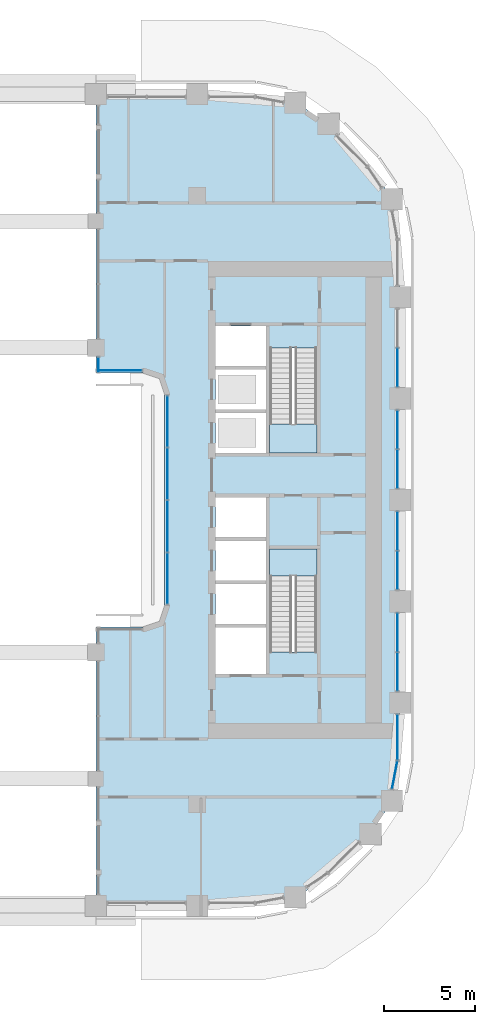
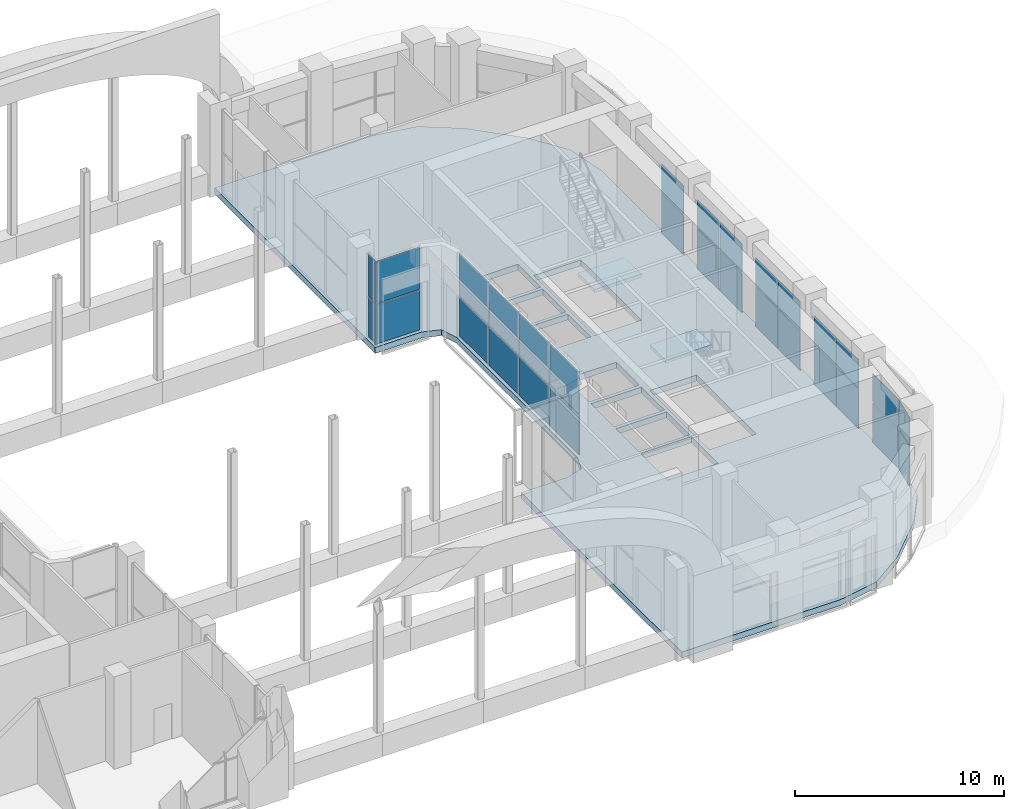
# One storey, part 13 of 28: 30 plates, 3 slabs, 11 elements without a shape of their own.
"""IFC4 building model written with IfcOpenShell, lengths in metres."""

import ifcopenshell
import ifcopenshell.guid

model = None  # the IFC model being written
_history = None  # IfcOwnerHistory: only IFC2X3 demands one
_inside = {}  # id of a spatial element -> (the spatial element, [elements in it])
_under = {}  # id of a project, library or spatial element -> (it, [spatial elements below it])
_declared = {}  # id of a project -> (the project, [libraries it declares])
_typed = {}  # id of a type object -> (the type object, [elements of that type])
_made_of = {}  # id of a material, layer set ... -> (it, [elements and type objects made of it])


def new_model(schema):
    """Start an empty IFC model of exactly this schema.

    Asked for "IFC4X3", IfcOpenShell would pick the latest addendum, in which some entities
    have other attributes; the version numbers below select the first issue.
    IFC2X3 requires an IfcOwnerHistory on every rooted entity: one is made here for all.
    """
    global model, _history
    if schema == "IFC4X3":
        model = ifcopenshell.file(schema_version=(4, 3, 0, 0))
    else:
        model = ifcopenshell.file(schema=schema)
    _inside.clear()
    _under.clear()
    _declared.clear()
    _typed.clear()
    _made_of.clear()
    _history = None
    if model.schema == "IFC2X3":
        org = make("IfcOrganization", Name="unknown")
        user = make(
            "IfcPersonAndOrganization",
            ThePerson=make("IfcPerson", FamilyName="unknown"),
            TheOrganization=org,
        )
        app = make(
            "IfcApplication",
            ApplicationDeveloper=org,
            Version="unknown",
            ApplicationFullName="unknown",
            ApplicationIdentifier="unknown",
        )
        _history = make(
            "IfcOwnerHistory",
            OwningUser=user,
            OwningApplication=app,
            ChangeAction="ADDED",
            CreationDate=0,
        )
    return model


def make(cls, **values):
    """One entity of the class cls with the attributes given. An attribute that is None is left unset."""
    return model.create_entity(
        cls, **{name: value for name, value in values.items() if value is not None}
    )


def rooted(cls, **values):
    """An entity with a GlobalId (a new one), such as an element, a storey or a relation."""
    return make(cls, GlobalId=ifcopenshell.guid.new(), OwnerHistory=_history, **values)


def si_unit(unit_type, name, prefix=None):
    """IfcSIUnit, for example si_unit("LENGTHUNIT", "METRE", prefix="MILLI")."""
    return make("IfcSIUnit", UnitType=unit_type, Prefix=prefix, Name=name)


def assignment(units):
    """IfcUnitAssignment: the units of a project."""
    return None if units is None else make("IfcUnitAssignment", Units=units)


def point(xyz):
    """IfcCartesianPoint."""
    return None if xyz is None else make("IfcCartesianPoint", Coordinates=xyz)


def direction(xyz):
    """IfcDirection."""
    return None if xyz is None else make("IfcDirection", DirectionRatios=xyz)


def frame(location, z_axis=None, x_axis=None):
    """IfcAxis2Placement3D, a coordinate frame: its origin and axes. An axis left out is left unset."""
    return make(
        "IfcAxis2Placement3D",
        Location=point(location),
        Axis=direction(z_axis),
        RefDirection=direction(x_axis),
    )


def frame_2d(location, x_axis=None):
    """IfcAxis2Placement2D, a coordinate frame in the plane: its origin and x axis."""
    return make(
        "IfcAxis2Placement2D", Location=point(location), RefDirection=direction(x_axis)
    )


def origin():
    """The frame at (0, 0, 0) with its axes left unset."""
    return frame((0.0, 0.0, 0.0))


def origin_2d():
    """The frame at (0, 0) in the plane with its x axis left unset."""
    return frame_2d((0.0, 0.0))


def place(relative_to, where):
    """IfcLocalPlacement: puts the frame where relative to a parent placement (None: the world)."""
    return make(
        "IfcLocalPlacement", PlacementRelTo=relative_to, RelativePlacement=where
    )


def context(
    kind, dimensions, precision=None, world=None, true_north=None, identifier=None
):
    """IfcGeometricRepresentationContext, for example the 3D "Model" context."""
    return make(
        "IfcGeometricRepresentationContext",
        ContextIdentifier=identifier,
        ContextType=kind,
        CoordinateSpaceDimension=dimensions,
        Precision=precision,
        WorldCoordinateSystem=world,
        TrueNorth=true_north,
    )


def subcontext(parent, identifier, kind, view, scale=None):
    """IfcGeometricRepresentationSubContext, for example "Body" below "Model"."""
    return make(
        "IfcGeometricRepresentationSubContext",
        ContextIdentifier=identifier,
        ContextType=kind,
        ParentContext=parent,
        TargetScale=scale,
        TargetView=view,
    )


def project(units=None, contexts=None):
    """IfcProject with its units and contexts."""
    return rooted(
        "IfcProject",
        Name="project",
        RepresentationContexts=contexts,
        UnitsInContext=assignment(units),
    )


def spatial(cls, under=None, at=None, **own):
    """A site, building, storey or space (cls), placed at a placement, below another one or the project."""
    s = rooted(cls, ObjectPlacement=at, **own)
    if under is not None:
        _under.setdefault(under.id(), (under, []))[1].append(s)
    return s


def polyline(points):
    """IfcPolyline through the points."""
    return make("IfcPolyline", Points=[point(p) for p in points])


def profile(cls, at=None, kind="AREA", **sizes):
    """A parametric profile (cls). Its sizes go by their IFC names, for example OverallWidth=200.0."""
    return make(cls, ProfileType=kind, Position=at, **sizes)


def rectangle(**sizes):
    """IfcRectangleProfileDef."""
    return profile("IfcRectangleProfileDef", **sizes)


def outline(outer, holes=None, kind="AREA"):
    """IfcArbitraryClosedProfileDef: a profile drawn as a closed curve; with holes, ...WithVoids."""
    if holes is None:
        return make("IfcArbitraryClosedProfileDef", ProfileType=kind, OuterCurve=outer)
    return make(
        "IfcArbitraryProfileDefWithVoids",
        ProfileType=kind,
        OuterCurve=outer,
        InnerCurves=holes,
    )


def extrude(swept, where, along, depth):
    """IfcExtrudedAreaSolid: the profile swept, set in the frame where, extruded along a direction by depth."""
    return make(
        "IfcExtrudedAreaSolid",
        SweptArea=swept,
        Position=where,
        ExtrudedDirection=direction(along),
        Depth=depth,
    )


def shape(context_of_items, identifier, shape_type, items):
    """IfcShapeRepresentation: the items that make up one representation, for example the "Body"."""
    return make(
        "IfcShapeRepresentation",
        ContextOfItems=context_of_items,
        RepresentationIdentifier=identifier,
        RepresentationType=shape_type,
        Items=items,
    )


def material(Name=None, Category=None):
    """IfcMaterial."""
    return make("IfcMaterial", Name=Name, Category=Category)


def layer(
    of_material, thickness, ventilated=None, Name=None, Category=None, Priority=None
):
    """IfcMaterialLayer: one layer of a wall or slab, of a material (None: an air gap)."""
    return make(
        "IfcMaterialLayer",
        Material=of_material,
        LayerThickness=thickness,
        IsVentilated=ventilated,
        Name=Name,
        Category=Category,
        Priority=Priority,
    )


def layer_set(layers, Name=None):
    """IfcMaterialLayerSet."""
    return make("IfcMaterialLayerSet", MaterialLayers=layers, LayerSetName=Name)


def made_of(thing, what):
    """Note that an element or type object is made of a material, layer set ...; save() writes the relation."""
    if what is not None:
        _made_of.setdefault(what.id(), (what, []))[1].append(thing)
    return thing


def type_object(cls, material=None, **own):
    """A type object (cls), such as IfcWallType, which elements share."""
    return made_of(rooted(cls, **own), material)


def element(
    cls,
    number,
    at=None,
    inside=None,
    cuts=None,
    type_object=None,
    material=None,
    context=None,
    identifier="Body",
    shape_type=None,
    held_by="IfcProductDefinitionShape",
    body=None,
    shapes=None,
    **own,
):
    """One element of the class cls, such as IfcWall. Its Tag is "e" and its number.

    at: its placement. inside: the storey or other place that contains it. cuts: it is an
    opening in that element (IfcRelVoidsElement). A single representation is given by context,
    identifier, shape_type and body (its items); several are given by shapes. held_by: the class
    of the entity that holds the representations. save() writes the other relations.
    """
    e = rooted(cls, Tag="e%d" % number, ObjectPlacement=at, **own)
    if body is not None:
        shapes = [shape(context, identifier, shape_type, body)]
    if shapes is not None:
        e.Representation = make(held_by, Representations=shapes)
    if inside is not None:
        _inside.setdefault(inside.id(), (inside, []))[1].append(e)
    if cuts is not None:
        rooted(
            "IfcRelVoidsElement", RelatingBuildingElement=cuts, RelatedOpeningElement=e
        )
    if type_object is not None:
        _typed.setdefault(type_object.id(), (type_object, []))[1].append(e)
    return made_of(e, material)


def aggregate(whole, parts):
    """IfcRelAggregates: a whole, such as a stair, and the parts it consists of."""
    return rooted("IfcRelAggregates", RelatingObject=whole, RelatedObjects=parts)


def save(model, path):
    """Write the relations noted so far, then the file.

    IfcRelAggregates (storeys below a building ...), IfcRelContainedInSpatialStructure (elements
    in a storey), IfcRelDefinesByType, IfcRelAssociatesMaterial and IfcRelDeclares: one each for
    every whole, place, type object, material and project.
    """
    for whole, parts in _under.values():
        aggregate(whole, parts)
    for where, things in _inside.values():
        rooted(
            "IfcRelContainedInSpatialStructure",
            RelatedElements=things,
            RelatingStructure=where,
        )
    for kind, things in _typed.values():
        rooted("IfcRelDefinesByType", RelatedObjects=things, RelatingType=kind)
    for what, things in _made_of.values():
        rooted("IfcRelAssociatesMaterial", RelatedObjects=things, RelatingMaterial=what)
    for by, libraries in _declared.values():
        rooted("IfcRelDeclares", RelatingContext=by, RelatedDefinitions=libraries)
    model.write(path)


model = new_model("IFC4")

# Units and contexts
model_context = context("Model", 3, precision=1e-05, world=origin(), true_north=direction((0.0, 1.0)))
body_context = subcontext(model_context, "Body", "Model", "MODEL_VIEW")
ifc_project = project(units=[si_unit("LENGTHUNIT", "METRE"), si_unit("AREAUNIT", "SQUARE_METRE"), si_unit("VOLUMEUNIT", "CUBIC_METRE"), si_unit("PLANEANGLEUNIT", "RADIAN"), si_unit("MASSUNIT", "GRAM", prefix="KILO")], contexts=[model_context])

# Site, building, storey
site_placement = place(None, origin())
site = spatial("IfcSite", under=ifc_project, at=site_placement, CompositionType="ELEMENT")
building_placement = place(site_placement, origin())
building = spatial("IfcBuilding", under=site, at=building_placement, Name="Kiln Ring Residences", CompositionType="ELEMENT")
storey_placement = place(building_placement, frame((0.0, 0.0, 125.300048828125)))
storey = spatial("IfcBuildingStorey", under=building, at=storey_placement, Name="L32", CompositionType="ELEMENT", Elevation=125.300048828125)

# Stair, slab
ifc_material_1 = material(Name="Concrete C40/50", Category="concrete")
stair_type = type_object("IfcStairType", Name="CORE-STAIR", PredefinedType="HALF_TURN_STAIR", material=ifc_material_1)
placement_1 = place(storey_placement, origin())
stair_1 = element("IfcStair", 1, at=placement_1, inside=storey, type_object=stair_type, Name="L32 stair E-STN", PredefinedType="HALF_TURN_STAIR")
ifc_material_2 = material(Name="Concrete C40/50", Category="concrete")
ifc_layer_1 = layer(ifc_material_2, 0.199951171875)
ifc_layer_set_1 = layer_set([ifc_layer_1], Name="CORE-STAIR-LANDING")
slab_type_1 = type_object("IfcSlabType", Name="CORE-STAIR-LANDING", PredefinedType="LANDING", material=ifc_layer_set_1)
placement_2 = place(storey_placement, frame((0.0, 0.0, 2.5)))
slab_1 = element("IfcSlab", 2, at=placement_2, type_object=slab_type_1, Name="E-STN landing 1", PredefinedType="LANDING", context=body_context, shape_type="SweptSolid", body=[
    extrude(outline(polyline([(20.800048828125, 4.199951171875), (20.800048828125, 2.60009765625), (23.39990234375, 2.60009765625), (23.39990234375, 4.199951171875), (20.800048828125, 4.199951171875)])), origin(), (0.0, 0.0, 1.0), 0.199951171875),
])
aggregate(stair_1, [slab_1])

stair_2 = element("IfcStair", 3, at=placement_1, inside=storey, type_object=stair_type, Name="L32 stair E-STS", PredefinedType="HALF_TURN_STAIR")
slab_2 = element("IfcSlab", 4, at=placement_2, type_object=slab_type_1, Name="E-STS landing 1", PredefinedType="LANDING", context=body_context, shape_type="SweptSolid", body=[
    extrude(outline(polyline([(23.39990234375, -4.199951171875), (23.39990234375, -2.699951171875), (20.800048828125, -2.699951171875), (20.800048828125, -4.199951171875), (23.39990234375, -4.199951171875)])), origin(), (0.0, 0.0, 1.0), 0.199951171875),
])
aggregate(stair_2, [slab_2])

# Curtain wall, plates
ifc_material_3 = material(Name="Aluminium and glass", Category="aluminium")
ifc_layer_2 = layer(ifc_material_3, 0.199951171875)
ifc_layer_set_2 = layer_set([ifc_layer_2], Name="CW1 CURTAIN WALL")
curtain_wall_type = type_object("IfcCurtainWallType", Name="CW1 CURTAIN WALL", PredefinedType="NOTDEFINED", material=ifc_layer_set_2)
curtain_wall_1 = element("IfcCurtainWall", 5, at=placement_1, inside=storey, type_object=curtain_wall_type, Name="Curtain wall CW1 L32", PredefinedType="NOTDEFINED")
ifc_material_4 = material(Name="Glass, low-e laminated", Category="glass")
ifc_layer_3 = layer(ifc_material_4, 0.028076171875)
ifc_layer_set_3 = layer_set([ifc_layer_3], Name="CW1 PANEL 28")
plate_type = type_object("IfcPlateType", Name="CW1 PANEL 28", PredefinedType="CURTAIN_PANEL", material=ifc_layer_set_3)
plate_1_placement = place(storey_placement, frame((27.697509765625, -15.185302734375, 0.059814453125), z_axis=(0.0, 0.0, 1.0), x_axis=(0.187365550262, 0.982290257803, 0.0)))
plate_1 = element("IfcPlate", 6, at=plate_1_placement, type_object=plate_type, Name="CW1 panel 1.1", PredefinedType="CURTAIN_PANEL", context=body_context, shape_type="SweptSolid", body=[
    extrude(rectangle(XDim=1.5361328125, YDim=0.028076171875, at=origin_2d()), origin(), (0.0, 0.0, 1.0), 2.31005859375),
])
plate_2_placement = place(storey_placement, frame((27.697509765625, -15.185302734375, 2.43017578125), z_axis=(0.0, 0.0, 1.0), x_axis=(0.187365550262, 0.982290257803, 0.0)))
plate_2 = element("IfcPlate", 7, at=plate_2_placement, type_object=plate_type, Name="CW1 panel 1.2", PredefinedType="CURTAIN_PANEL", context=body_context, shape_type="SweptSolid", body=[
    extrude(rectangle(XDim=1.5361328125, YDim=0.028076171875, at=origin_2d()), origin(), (0.0, 0.0, 1.0), 1.659912109375),
])
aggregate(curtain_wall_1, [plate_1, plate_2])

curtain_wall_2 = element("IfcCurtainWall", 8, at=placement_1, inside=storey, type_object=curtain_wall_type, Name="Curtain wall CW1 L32", PredefinedType="NOTDEFINED")
plate_3_placement = place(storey_placement, frame((27.85009765625, -13.10009765625, 0.059814453125), z_axis=(0.0, 0.0, 1.0), x_axis=(0.0, 1.0, 0.0)))
plate_3 = element("IfcPlate", 9, at=plate_3_placement, type_object=plate_type, Name="CW1 panel 1.1", PredefinedType="CURTAIN_PANEL", context=body_context, shape_type="SweptSolid", body=[
    extrude(rectangle(XDim=2.47998046875, YDim=0.028076171875, at=origin_2d()), origin(), (0.0, 0.0, 1.0), 2.31005859375),
])
plate_4_placement = place(storey_placement, frame((27.85009765625, -13.10009765625, 2.43017578125), z_axis=(0.0, 0.0, 1.0), x_axis=(0.0, 1.0, 0.0)))
plate_4 = element("IfcPlate", 10, at=plate_4_placement, type_object=plate_type, Name="CW1 panel 1.2", PredefinedType="CURTAIN_PANEL", context=body_context, shape_type="SweptSolid", body=[
    extrude(rectangle(XDim=2.47998046875, YDim=0.028076171875, at=origin_2d()), origin(), (0.0, 0.0, 1.0), 1.659912109375),
])
aggregate(curtain_wall_2, [plate_3, plate_4])

curtain_wall_3 = element("IfcCurtainWall", 11, at=placement_1, inside=storey, type_object=curtain_wall_type, Name="Curtain wall CW1 L32", PredefinedType="NOTDEFINED")
plate_5_placement = place(storey_placement, frame((27.85009765625, -9.485107421875, 0.059814453125), z_axis=(0.0, 0.0, 1.0), x_axis=(0.0, 1.0, 0.0)))
plate_5 = element("IfcPlate", 12, at=plate_5_placement, type_object=plate_type, Name="CW1 panel 1.1", PredefinedType="CURTAIN_PANEL", context=body_context, shape_type="SweptSolid", body=[
    extrude(rectangle(XDim=2.110107421875, YDim=0.028076171875, at=origin_2d()), origin(), (0.0, 0.0, 1.0), 2.31005859375),
])
plate_6_placement = place(storey_placement, frame((27.85009765625, -9.485107421875, 2.43017578125), z_axis=(0.0, 0.0, 1.0), x_axis=(0.0, 1.0, 0.0)))
plate_6 = element("IfcPlate", 13, at=plate_6_placement, type_object=plate_type, Name="CW1 panel 1.2", PredefinedType="CURTAIN_PANEL", context=body_context, shape_type="SweptSolid", body=[
    extrude(rectangle(XDim=2.110107421875, YDim=0.028076171875, at=origin_2d()), origin(), (0.0, 0.0, 1.0), 1.659912109375),
])
plate_7_placement = place(storey_placement, frame((27.85009765625, -7.31494140625, 0.059814453125), z_axis=(0.0, 0.0, 1.0), x_axis=(0.0, 1.0, 0.0)))
plate_7 = element("IfcPlate", 14, at=plate_7_placement, type_object=plate_type, Name="CW1 panel 2.1", PredefinedType="CURTAIN_PANEL", context=body_context, shape_type="SweptSolid", body=[
    extrude(rectangle(XDim=2.110107421875, YDim=0.028076171875, at=origin_2d()), origin(), (0.0, 0.0, 1.0), 2.31005859375),
])
plate_8_placement = place(storey_placement, frame((27.85009765625, -7.31494140625, 2.43017578125), z_axis=(0.0, 0.0, 1.0), x_axis=(0.0, 1.0, 0.0)))
plate_8 = element("IfcPlate", 15, at=plate_8_placement, type_object=plate_type, Name="CW1 panel 2.2", PredefinedType="CURTAIN_PANEL", context=body_context, shape_type="SweptSolid", body=[
    extrude(rectangle(XDim=2.110107421875, YDim=0.028076171875, at=origin_2d()), origin(), (0.0, 0.0, 1.0), 1.659912109375),
])
aggregate(curtain_wall_3, [plate_5, plate_6, plate_7, plate_8])

curtain_wall_4 = element("IfcCurtainWall", 16, at=placement_1, inside=storey, type_object=curtain_wall_type, Name="Curtain wall CW1 L32", PredefinedType="NOTDEFINED")
plate_9_placement = place(storey_placement, frame((27.85009765625, -3.885009765625, 0.059814453125), z_axis=(0.0, 0.0, 1.0), x_axis=(0.0, 1.0, 0.0)))
plate_9 = element("IfcPlate", 17, at=plate_9_placement, type_object=plate_type, Name="CW1 panel 1.1", PredefinedType="CURTAIN_PANEL", context=body_context, shape_type="SweptSolid", body=[
    extrude(rectangle(XDim=2.110107421875, YDim=0.028076171875, at=origin_2d()), origin(), (0.0, 0.0, 1.0), 2.31005859375),
])
plate_10_placement = place(storey_placement, frame((27.85009765625, -3.885009765625, 2.43017578125), z_axis=(0.0, 0.0, 1.0), x_axis=(0.0, 1.0, 0.0)))
plate_10 = element("IfcPlate", 18, at=plate_10_placement, type_object=plate_type, Name="CW1 panel 1.2", PredefinedType="CURTAIN_PANEL", context=body_context, shape_type="SweptSolid", body=[
    extrude(rectangle(XDim=2.110107421875, YDim=0.028076171875, at=origin_2d()), origin(), (0.0, 0.0, 1.0), 1.659912109375),
])
plate_11_placement = place(storey_placement, frame((27.85009765625, -1.715087890625, 0.059814453125), z_axis=(0.0, 0.0, 1.0), x_axis=(0.0, 1.0, 0.0)))
plate_11 = element("IfcPlate", 19, at=plate_11_placement, type_object=plate_type, Name="CW1 panel 2.1", PredefinedType="CURTAIN_PANEL", context=body_context, shape_type="SweptSolid", body=[
    extrude(rectangle(XDim=2.110107421875, YDim=0.028076171875, at=origin_2d()), origin(), (0.0, 0.0, 1.0), 2.31005859375),
])
plate_12_placement = place(storey_placement, frame((27.85009765625, -1.715087890625, 2.43017578125), z_axis=(0.0, 0.0, 1.0), x_axis=(0.0, 1.0, 0.0)))
plate_12 = element("IfcPlate", 20, at=plate_12_placement, type_object=plate_type, Name="CW1 panel 2.2", PredefinedType="CURTAIN_PANEL", context=body_context, shape_type="SweptSolid", body=[
    extrude(rectangle(XDim=2.110107421875, YDim=0.028076171875, at=origin_2d()), origin(), (0.0, 0.0, 1.0), 1.659912109375),
])
aggregate(curtain_wall_4, [plate_9, plate_10, plate_11, plate_12])

curtain_wall_5 = element("IfcCurtainWall", 21, at=placement_1, inside=storey, type_object=curtain_wall_type, Name="Curtain wall CW1 L32", PredefinedType="NOTDEFINED")
plate_13_placement = place(storey_placement, frame((27.85009765625, 1.715087890625, 0.059814453125), z_axis=(0.0, 0.0, 1.0), x_axis=(0.0, 1.0, 0.0)))
plate_13 = element("IfcPlate", 22, at=plate_13_placement, type_object=plate_type, Name="CW1 panel 1.1", PredefinedType="CURTAIN_PANEL", context=body_context, shape_type="SweptSolid", body=[
    extrude(rectangle(XDim=2.110107421875, YDim=0.028076171875, at=origin_2d()), origin(), (0.0, 0.0, 1.0), 2.31005859375),
])
plate_14_placement = place(storey_placement, frame((27.85009765625, 1.715087890625, 2.43017578125), z_axis=(0.0, 0.0, 1.0), x_axis=(0.0, 1.0, 0.0)))
plate_14 = element("IfcPlate", 23, at=plate_14_placement, type_object=plate_type, Name="CW1 panel 1.2", PredefinedType="CURTAIN_PANEL", context=body_context, shape_type="SweptSolid", body=[
    extrude(rectangle(XDim=2.110107421875, YDim=0.028076171875, at=origin_2d()), origin(), (0.0, 0.0, 1.0), 1.659912109375),
])
plate_15_placement = place(storey_placement, frame((27.85009765625, 3.885009765625, 0.059814453125), z_axis=(0.0, 0.0, 1.0), x_axis=(0.0, 1.0, 0.0)))
plate_15 = element("IfcPlate", 24, at=plate_15_placement, type_object=plate_type, Name="CW1 panel 2.1", PredefinedType="CURTAIN_PANEL", context=body_context, shape_type="SweptSolid", body=[
    extrude(rectangle(XDim=2.110107421875, YDim=0.028076171875, at=origin_2d()), origin(), (0.0, 0.0, 1.0), 2.31005859375),
])
plate_16_placement = place(storey_placement, frame((27.85009765625, 3.885009765625, 2.43017578125), z_axis=(0.0, 0.0, 1.0), x_axis=(0.0, 1.0, 0.0)))
plate_16 = element("IfcPlate", 25, at=plate_16_placement, type_object=plate_type, Name="CW1 panel 2.2", PredefinedType="CURTAIN_PANEL", context=body_context, shape_type="SweptSolid", body=[
    extrude(rectangle(XDim=2.110107421875, YDim=0.028076171875, at=origin_2d()), origin(), (0.0, 0.0, 1.0), 1.659912109375),
])
aggregate(curtain_wall_5, [plate_13, plate_14, plate_15, plate_16])

curtain_wall_6 = element("IfcCurtainWall", 26, at=placement_1, inside=storey, type_object=curtain_wall_type, Name="Curtain wall CW1 L32", PredefinedType="NOTDEFINED")
plate_17_placement = place(storey_placement, frame((27.85009765625, 7.31494140625, 0.059814453125), z_axis=(0.0, 0.0, 1.0), x_axis=(0.0, 1.0, 0.0)))
plate_17 = element("IfcPlate", 27, at=plate_17_placement, type_object=plate_type, Name="CW1 panel 1.1", PredefinedType="CURTAIN_PANEL", context=body_context, shape_type="SweptSolid", body=[
    extrude(rectangle(XDim=2.110107421875, YDim=0.028076171875, at=origin_2d()), origin(), (0.0, 0.0, 1.0), 2.31005859375),
])
plate_18_placement = place(storey_placement, frame((27.85009765625, 7.31494140625, 2.43017578125), z_axis=(0.0, 0.0, 1.0), x_axis=(0.0, 1.0, 0.0)))
plate_18 = element("IfcPlate", 28, at=plate_18_placement, type_object=plate_type, Name="CW1 panel 1.2", PredefinedType="CURTAIN_PANEL", context=body_context, shape_type="SweptSolid", body=[
    extrude(rectangle(XDim=2.110107421875, YDim=0.028076171875, at=origin_2d()), origin(), (0.0, 0.0, 1.0), 1.659912109375),
])
aggregate(curtain_wall_6, [plate_17, plate_18])

curtain_wall_7 = element("IfcCurtainWall", 29, at=placement_1, inside=storey, type_object=curtain_wall_type, Name="Curtain wall CW1 L32", PredefinedType="NOTDEFINED")
plate_19_placement = place(storey_placement, frame((11.35009765625, 7.46240234375, 0.059814453125), z_axis=(0.0, 0.0, 1.0), x_axis=(0.0, -1.0, 0.0)))
plate_19 = element("IfcPlate", 30, at=plate_19_placement, type_object=plate_type, Name="CW1 panel 1.1", PredefinedType="CURTAIN_PANEL", context=body_context, shape_type="SweptSolid", body=[
    extrude(rectangle(XDim=0.804931640625, YDim=0.028076171875, at=origin_2d()), origin(), (0.0, 0.0, 1.0), 2.31005859375),
])
plate_20_placement = place(storey_placement, frame((11.35009765625, 7.46240234375, 2.429931640625), z_axis=(0.0, 0.0, 1.0), x_axis=(0.0, -1.0, 0.0)))
plate_20 = element("IfcPlate", 31, at=plate_20_placement, type_object=plate_type, Name="CW1 panel 1.2", PredefinedType="CURTAIN_PANEL", context=body_context, shape_type="SweptSolid", body=[
    extrude(rectangle(XDim=0.804931640625, YDim=0.028076171875, at=origin_2d()), origin(), (0.0, 0.0, 1.0), 2.4599609375),
])
aggregate(curtain_wall_7, [plate_19, plate_20])

curtain_wall_8 = element("IfcCurtainWall", 32, at=placement_1, inside=storey, type_object=curtain_wall_type, Name="Curtain wall CW1 L32", PredefinedType="NOTDEFINED")
plate_21_placement = place(storey_placement, frame((12.5, 7.14990234375, 0.059814453125), z_axis=(0.0, 0.0, 1.0), x_axis=(1.0, 0.0, 0.0)))
plate_21 = element("IfcPlate", 33, at=plate_21_placement, type_object=plate_type, Name="CW1 panel 1.1", PredefinedType="CURTAIN_PANEL", context=body_context, shape_type="SweptSolid", body=[
    extrude(rectangle(XDim=2.47998046875, YDim=0.028076171875, at=origin_2d()), origin(), (0.0, 0.0, 1.0), 2.31005859375),
])
plate_22_placement = place(storey_placement, frame((12.5, 7.14990234375, 2.429931640625), z_axis=(0.0, 0.0, 1.0), x_axis=(1.0, 0.0, 0.0)))
plate_22 = element("IfcPlate", 34, at=plate_22_placement, type_object=plate_type, Name="CW1 panel 1.2", PredefinedType="CURTAIN_PANEL", context=body_context, shape_type="SweptSolid", body=[
    extrude(rectangle(XDim=2.47998046875, YDim=0.028076171875, at=origin_2d()), origin(), (0.0, 0.0, 1.0), 2.4599609375),
])
aggregate(curtain_wall_8, [plate_21, plate_22])

curtain_wall_9 = element("IfcCurtainWall", 35, at=placement_1, inside=storey, type_object=curtain_wall_type, Name="Curtain wall CW1 L32", PredefinedType="NOTDEFINED")
plate_23_placement = place(storey_placement, frame((15.14990234375, 4.3349609375, 0.059814453125), z_axis=(0.0, 0.0, 1.0), x_axis=(0.0, -1.0, 0.0)))
plate_23 = element("IfcPlate", 36, at=plate_23_placement, type_object=plate_type, Name="CW1 panel 1.1", PredefinedType="CURTAIN_PANEL", context=body_context, shape_type="SweptSolid", body=[
    extrude(rectangle(XDim=2.81005859375, YDim=0.028076171875, at=origin_2d()), origin(), (0.0, 0.0, 1.0), 2.31005859375),
])
plate_24_placement = place(storey_placement, frame((15.14990234375, 4.3349609375, 2.429931640625), z_axis=(0.0, 0.0, 1.0), x_axis=(0.0, -1.0, 0.0)))
plate_24 = element("IfcPlate", 37, at=plate_24_placement, type_object=plate_type, Name="CW1 panel 1.2", PredefinedType="CURTAIN_PANEL", context=body_context, shape_type="SweptSolid", body=[
    extrude(rectangle(XDim=2.81005859375, YDim=0.028076171875, at=origin_2d()), origin(), (0.0, 0.0, 1.0), 2.4599609375),
])
plate_25_placement = place(storey_placement, frame((15.14990234375, 1.449951171875, 0.059814453125), z_axis=(0.0, 0.0, 1.0), x_axis=(0.0, -1.0, 0.0)))
plate_25 = element("IfcPlate", 38, at=plate_25_placement, type_object=plate_type, Name="CW1 panel 2.1", PredefinedType="CURTAIN_PANEL", context=body_context, shape_type="SweptSolid", body=[
    extrude(rectangle(XDim=2.840087890625, YDim=0.028076171875, at=origin_2d()), origin(), (0.0, 0.0, 1.0), 2.31005859375),
])
plate_26_placement = place(storey_placement, frame((15.14990234375, 1.449951171875, 2.429931640625), z_axis=(0.0, 0.0, 1.0), x_axis=(0.0, -1.0, 0.0)))
plate_26 = element("IfcPlate", 39, at=plate_26_placement, type_object=plate_type, Name="CW1 panel 2.2", PredefinedType="CURTAIN_PANEL", context=body_context, shape_type="SweptSolid", body=[
    extrude(rectangle(XDim=2.840087890625, YDim=0.028076171875, at=origin_2d()), origin(), (0.0, 0.0, 1.0), 2.4599609375),
])
plate_27_placement = place(storey_placement, frame((15.14990234375, -1.449951171875, 0.059814453125), z_axis=(0.0, 0.0, 1.0), x_axis=(0.0, -1.0, 0.0)))
plate_27 = element("IfcPlate", 40, at=plate_27_placement, type_object=plate_type, Name="CW1 panel 3.1", PredefinedType="CURTAIN_PANEL", context=body_context, shape_type="SweptSolid", body=[
    extrude(rectangle(XDim=2.840087890625, YDim=0.028076171875, at=origin_2d()), origin(), (0.0, 0.0, 1.0), 2.31005859375),
])
plate_28_placement = place(storey_placement, frame((15.14990234375, -1.449951171875, 2.429931640625), z_axis=(0.0, 0.0, 1.0), x_axis=(0.0, -1.0, 0.0)))
plate_28 = element("IfcPlate", 41, at=plate_28_placement, type_object=plate_type, Name="CW1 panel 3.2", PredefinedType="CURTAIN_PANEL", context=body_context, shape_type="SweptSolid", body=[
    extrude(rectangle(XDim=2.840087890625, YDim=0.028076171875, at=origin_2d()), origin(), (0.0, 0.0, 1.0), 2.4599609375),
])
plate_29_placement = place(storey_placement, frame((15.14990234375, -4.3349609375, 0.059814453125), z_axis=(0.0, 0.0, 1.0), x_axis=(0.0, -1.0, 0.0)))
plate_29 = element("IfcPlate", 42, at=plate_29_placement, type_object=plate_type, Name="CW1 panel 4.1", PredefinedType="CURTAIN_PANEL", context=body_context, shape_type="SweptSolid", body=[
    extrude(rectangle(XDim=2.81005859375, YDim=0.028076171875, at=origin_2d()), origin(), (0.0, 0.0, 1.0), 2.31005859375),
])
plate_30_placement = place(storey_placement, frame((15.14990234375, -4.3349609375, 2.429931640625), z_axis=(0.0, 0.0, 1.0), x_axis=(0.0, -1.0, 0.0)))
plate_30 = element("IfcPlate", 43, at=plate_30_placement, type_object=plate_type, Name="CW1 panel 4.2", PredefinedType="CURTAIN_PANEL", context=body_context, shape_type="SweptSolid", body=[
    extrude(rectangle(XDim=2.81005859375, YDim=0.028076171875, at=origin_2d()), origin(), (0.0, 0.0, 1.0), 2.4599609375),
])
aggregate(curtain_wall_9, [plate_23, plate_24, plate_25, plate_26, plate_27, plate_28, plate_29, plate_30])

# Slab
ifc_material_5 = material(Name="Concrete C40/50", Category="concrete")
ifc_layer_4 = layer(ifc_material_5, 0.35009765625)
ifc_layer_set_4 = layer_set([ifc_layer_4], Name="Floor slab 350")
slab_type_2 = type_object("IfcSlabType", Name="Floor slab 350", PredefinedType="FLOOR", material=ifc_layer_set_4)
slab_3_placement = place(storey_placement, frame((0.0, 0.0, -0.35009765625)))
element("IfcSlab", 44, at=slab_3_placement, inside=storey, type_object=slab_type_2, Name="Floor slab L32 2", PredefinedType="FLOOR", context=body_context, shape_type="SweptSolid", body=[
    extrude(outline(polyline([(13.800048828125, -7.0), (11.199951171875, -7.0), (11.199951171875, -22.39990234375), (20.0, -22.39990234375), (22.224365234375, -21.975830078125), (24.09716796875, -20.702880859375), (26.302978515625, -18.4970703125), (27.57568359375, -16.624267578125), (28.0, -14.39990234375), (28.0, 14.39990234375), (27.57568359375, 16.624267578125), (26.302978515625, 18.4970703125), (24.09716796875, 20.702880859375), (22.224365234375, 21.975830078125), (20.0, 22.39990234375), (11.199951171875, 22.39990234375), (11.199951171875, 7.0), (13.800048828125, 7.0), (14.699951171875, 6.699951171875), (15.0, 5.800048828125), (15.0, -5.800048828125), (14.699951171875, -6.699951171875), (13.800048828125, -7.0)]), holes=[polyline([(20.800048828125, 2.60009765625), (20.800048828125, 8.39794921875), (23.39990234375, 8.39794921875), (23.39990234375, 2.60009765625), (20.800048828125, 2.60009765625)]), polyline([(20.800048828125, -8.39794921875), (20.800048828125, -2.699951171875), (23.39990234375, -2.699951171875), (23.39990234375, -8.39794921875), (20.800048828125, -8.39794921875)]), polyline([(17.800048828125, -9.60009765625), (17.800048828125, -7.050048828125), (20.60009765625, -7.050048828125), (20.60009765625, -9.60009765625), (17.800048828125, -9.60009765625)]), polyline([(17.800048828125, 9.60009765625), (20.60009765625, 9.60009765625), (20.60009765625, 7.39990234375), (17.800048828125, 7.39990234375), (17.800048828125, 9.60009765625)]), polyline([(17.800048828125, 7.199951171875), (20.60009765625, 7.199951171875), (20.60009765625, 5.0), (17.800048828125, 5.0), (17.800048828125, 7.199951171875)]), polyline([(17.800048828125, 2.60009765625), (17.800048828125, 4.800048828125), (20.60009765625, 4.800048828125), (20.60009765625, 2.60009765625), (17.800048828125, 2.60009765625)]), polyline([(17.800048828125, -2.050048828125), (17.800048828125, 0.14990234375), (20.60009765625, 0.14990234375), (20.60009765625, -2.050048828125), (17.800048828125, -2.050048828125)]), polyline([(17.800048828125, -4.449951171875), (17.800048828125, -2.25), (20.60009765625, -2.25), (20.60009765625, -4.449951171875), (17.800048828125, -4.449951171875)]), polyline([(17.800048828125, -6.85009765625), (17.800048828125, -4.64990234375), (20.60009765625, -4.64990234375), (20.60009765625, -6.85009765625), (17.800048828125, -6.85009765625)])]), origin(), (0.0, 0.0, 1.0), 0.35009765625),
])

save(model, "model.ifc")
